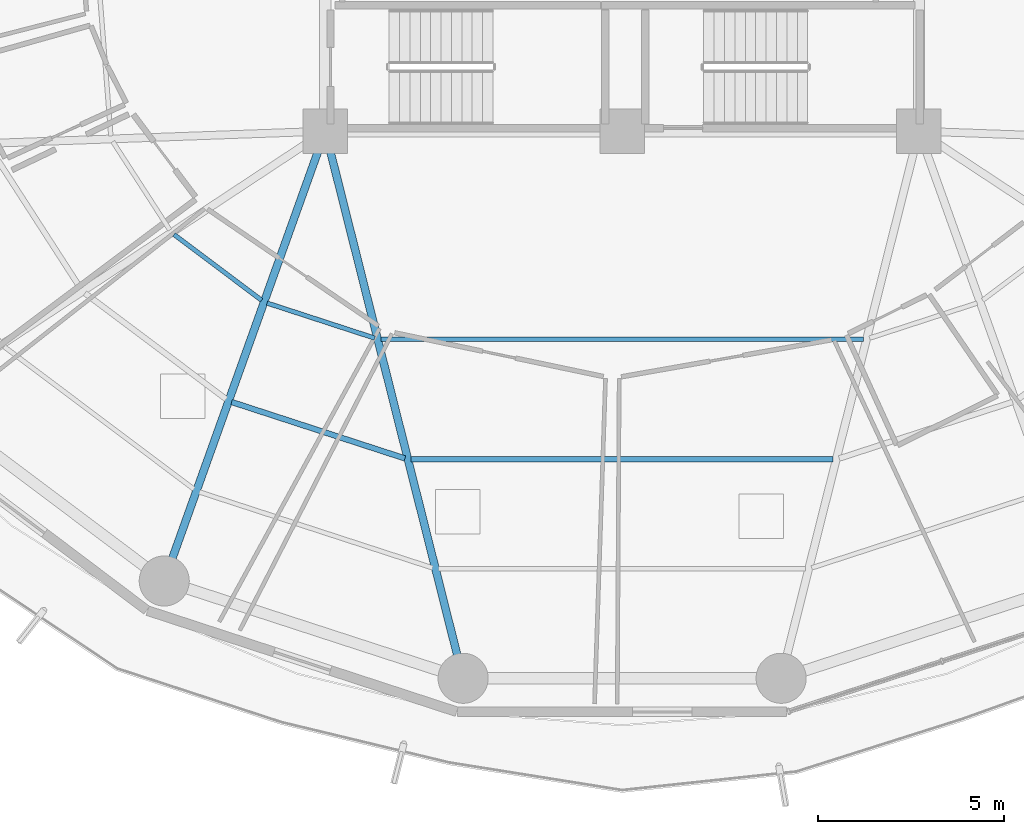
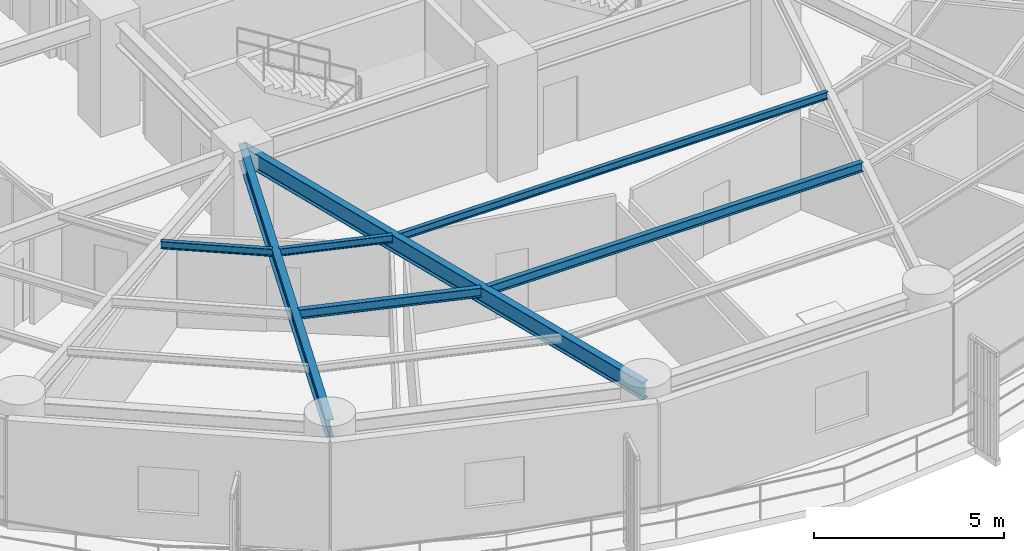
# One storey, part 5 of 36: 7 beams.
"""IFC4 building model written with IfcOpenShell, lengths in metres."""

from ifc_helpers import new_model, si_unit, direction, frame, origin, origin_2d, place, context, subcontext, project, spatial, i_section, extrude, material, material_profile, profile_set, type_object, element, save


model = new_model("IFC4")

# Units and contexts
model_context = context("Model", 3, precision=1e-05, world=origin(), true_north=direction((0.0, 1.0)))
body_context = subcontext(model_context, "Body", "Model", "MODEL_VIEW")
ifc_project = project(units=[si_unit("LENGTHUNIT", "METRE"), si_unit("AREAUNIT", "SQUARE_METRE"), si_unit("VOLUMEUNIT", "CUBIC_METRE"), si_unit("PLANEANGLEUNIT", "RADIAN"), si_unit("MASSUNIT", "GRAM", prefix="KILO")], contexts=[model_context])

# Site, building, storey
site_placement = place(None, origin())
site = spatial("IfcSite", under=ifc_project, at=site_placement, CompositionType="ELEMENT")
building_placement = place(site_placement, origin())
building = spatial("IfcBuilding", under=site, at=building_placement, Name="Kelanora Arch Commons", CompositionType="ELEMENT")
storey_placement = place(building_placement, frame((0.0, 0.0, 102.60009765625)))
storey = spatial("IfcBuildingStorey", under=building, at=storey_placement, Name="L26", CompositionType="ELEMENT", Elevation=102.60009765625)

# Beams
ifc_material = material(Name="Steel S355", Category="steel")
ifc_material_profile_1 = material_profile(ifc_material, i_section(OverallWidth=0.14990234375, OverallDepth=0.300048828125, WebThickness=0.007080078125, FlangeThickness=0.0107421875, FilletRadius=0.014892578125, at=origin_2d()), Name="IPE300")
ifc_profile_set_1 = profile_set([ifc_material_profile_1], Name="Steel S355")
beam_type_1 = type_object("IfcBeamType", Name="BM-JST-01", PredefinedType="JOIST", material=ifc_profile_set_1)
beam_1_placement = place(storey_placement, frame((63.476806640625, 43.70068359375, 3.33984375), z_axis=(0.950857140254, -0.309629938521, 0.0), x_axis=(0.309629938521, 0.950857140254, 0.0)))
element("IfcBeam", 1, at=beam_1_placement, inside=storey, type_object=beam_type_1, Name="Secondary Chord Joist BJB-24 L26", PredefinedType="JOIST", context=body_context, shape_type="SweptSolid", body=[
    extrude(i_section(OverallWidth=0.14990234375, OverallDepth=0.300048828125, WebThickness=0.007080078125, FlangeThickness=0.0107421875, FilletRadius=0.014892578125, at=origin_2d()), origin(), (0.0, 0.0, 1.0), 4.912353515625),
])
beam_2_placement = place(storey_placement, frame((68.313720703125, 42.1533203125, 3.33984375), z_axis=(1.0, 0.0, 0.0), x_axis=(0.0, 1.0, 0.0)))
element("IfcBeam", 2, at=beam_2_placement, inside=storey, type_object=beam_type_1, Name="Secondary Chord Joist BJB-26 L26", PredefinedType="JOIST", context=body_context, shape_type="SweptSolid", body=[
    extrude(i_section(OverallWidth=0.14990234375, OverallDepth=0.300048828125, WebThickness=0.007080078125, FlangeThickness=0.0107421875, FilletRadius=0.014892578125, at=origin_2d()), origin(), (0.0, 0.0, 1.0), 11.37255859375),
])
ifc_material_profile_2 = material_profile(ifc_material, i_section(OverallWidth=0.1201171875, OverallDepth=0.239990234375, WebThickness=0.006103515625, FlangeThickness=0.009765625, FilletRadius=0.014892578125, at=origin_2d()), Name="IPE240")
ifc_profile_set_2 = profile_set([ifc_material_profile_2], Name="Steel S355")
beam_type_2 = type_object("IfcBeamType", Name="BM-JST-02", PredefinedType="JOIST", material=ifc_profile_set_2)
beam_3_placement = place(storey_placement, frame((61.923583984375, 48.2158203125, 3.369873046875), z_axis=(0.799692034361, -0.600410401458, 0.0), x_axis=(0.600410401458, 0.799692034361, 0.0)))
element("IfcBeam", 3, at=beam_3_placement, inside=storey, type_object=beam_type_2, Name="Secondary Chord Joist BJA-22 L26", PredefinedType="JOIST", context=body_context, shape_type="SweptSolid", body=[
    extrude(i_section(OverallWidth=0.1201171875, OverallDepth=0.239990234375, WebThickness=0.006103515625, FlangeThickness=0.009765625, FilletRadius=0.014892578125, at=origin_2d()), origin(), (0.0, 0.0, 1.0), 2.949951171875),
])
beam_4_placement = place(storey_placement, frame((64.431640625, 46.367431640625, 3.369873046875), z_axis=(0.950846758946, -0.309661817151, 0.0), x_axis=(0.309661817151, 0.950846758946, 0.0)))
element("IfcBeam", 4, at=beam_4_placement, inside=storey, type_object=beam_type_2, Name="Secondary Chord Joist BJA-24 L26", PredefinedType="JOIST", context=body_context, shape_type="SweptSolid", body=[
    extrude(i_section(OverallWidth=0.1201171875, OverallDepth=0.239990234375, WebThickness=0.006103515625, FlangeThickness=0.009765625, FilletRadius=0.014892578125, at=origin_2d()), origin(), (0.0, 0.0, 1.0), 3.048828125),
])
beam_5_placement = place(storey_placement, frame((67.49658203125, 45.397216796875, 3.369873046875), z_axis=(1.0, 0.0, 0.0), x_axis=(0.0, 1.0, 0.0)))
element("IfcBeam", 5, at=beam_5_placement, inside=storey, type_object=beam_type_2, Name="Secondary Chord Joist BJA-26 L26", PredefinedType="JOIST", context=body_context, shape_type="SweptSolid", body=[
    extrude(i_section(OverallWidth=0.1201171875, OverallDepth=0.239990234375, WebThickness=0.006103515625, FlangeThickness=0.009765625, FilletRadius=0.014892578125, at=origin_2d()), origin(), (0.0, 0.0, 1.0), 13.0068359375),
])
ifc_material_profile_3 = material_profile(ifc_material, i_section(OverallWidth=0.2099609375, OverallDepth=0.550048828125, WebThickness=0.010986328125, FlangeThickness=0.01708984375, FilletRadius=0.02392578125, at=origin_2d()), Name="IPE550")
ifc_profile_set_3 = profile_set([ifc_material_profile_3], Name="Steel S355")
beam_type_3 = type_object("IfcBeamType", Name="BM-RAD-Z2", PredefinedType="BEAM", material=ifc_profile_set_3)
beam_6_placement = place(storey_placement, frame((66.0, 51.0, 3.21484375), z_axis=(-0.337084640008, -0.941474346687, 0.0), x_axis=(0.941474346687, -0.337084640008, 0.0)))
element("IfcBeam", 6, at=beam_6_placement, inside=storey, type_object=beam_type_3, Name="Radial Floor Girder BR-24 L26", PredefinedType="BEAM", context=body_context, shape_type="SweptSolid", body=[
    extrude(i_section(OverallWidth=0.2099609375, OverallDepth=0.550048828125, WebThickness=0.010986328125, FlangeThickness=0.01708984375, FilletRadius=0.02392578125, at=origin_2d()), origin(), (0.0, 0.0, 1.0), 12.875244140625),
])
beam_7_placement = place(storey_placement, frame((66.0, 51.0, 3.21484375), z_axis=(0.244280647475, -0.969704576286, 0.0), x_axis=(0.969704576286, 0.244280647475, 0.0)))
element("IfcBeam", 7, at=beam_7_placement, inside=storey, type_object=beam_type_3, Name="Radial Floor Girder BR-26 L26", PredefinedType="BEAM", context=body_context, shape_type="SweptSolid", body=[
    extrude(i_section(OverallWidth=0.2099609375, OverallDepth=0.550048828125, WebThickness=0.010986328125, FlangeThickness=0.01708984375, FilletRadius=0.02392578125, at=origin_2d()), origin(), (0.0, 0.0, 1.0), 15.205322265625),
])

save(model, "model.ifc")
